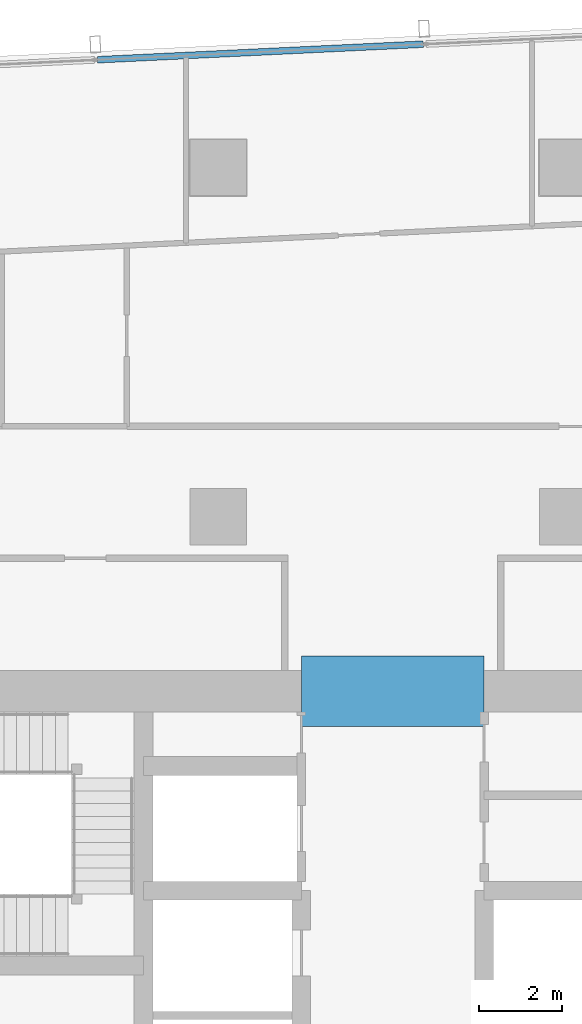
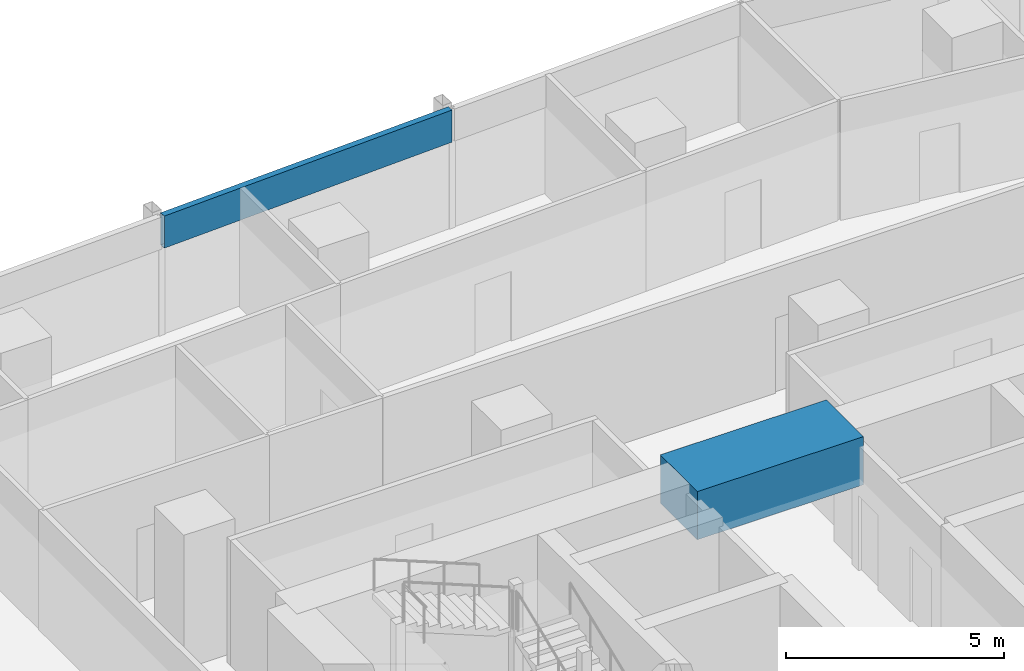
# One storey, part 20 of 39: 1 beam, 1 member, 1 element without a shape of its own.
"""IFC4 building model written with IfcOpenShell, lengths in metres."""

import ifcopenshell
import ifcopenshell.guid

model = None  # the IFC model being written
_history = None  # IfcOwnerHistory: only IFC2X3 demands one
_inside = {}  # id of a spatial element -> (the spatial element, [elements in it])
_under = {}  # id of a project, library or spatial element -> (it, [spatial elements below it])
_declared = {}  # id of a project -> (the project, [libraries it declares])
_typed = {}  # id of a type object -> (the type object, [elements of that type])
_made_of = {}  # id of a material, layer set ... -> (it, [elements and type objects made of it])


def new_model(schema):
    """Start an empty IFC model of exactly this schema.

    Asked for "IFC4X3", IfcOpenShell would pick the latest addendum, in which some entities
    have other attributes; the version numbers below select the first issue.
    IFC2X3 requires an IfcOwnerHistory on every rooted entity: one is made here for all.
    """
    global model, _history
    if schema == "IFC4X3":
        model = ifcopenshell.file(schema_version=(4, 3, 0, 0))
    else:
        model = ifcopenshell.file(schema=schema)
    _inside.clear()
    _under.clear()
    _declared.clear()
    _typed.clear()
    _made_of.clear()
    _history = None
    if model.schema == "IFC2X3":
        org = make("IfcOrganization", Name="unknown")
        user = make(
            "IfcPersonAndOrganization",
            ThePerson=make("IfcPerson", FamilyName="unknown"),
            TheOrganization=org,
        )
        app = make(
            "IfcApplication",
            ApplicationDeveloper=org,
            Version="unknown",
            ApplicationFullName="unknown",
            ApplicationIdentifier="unknown",
        )
        _history = make(
            "IfcOwnerHistory",
            OwningUser=user,
            OwningApplication=app,
            ChangeAction="ADDED",
            CreationDate=0,
        )
    return model


def make(cls, **values):
    """One entity of the class cls with the attributes given. An attribute that is None is left unset."""
    return model.create_entity(
        cls, **{name: value for name, value in values.items() if value is not None}
    )


def rooted(cls, **values):
    """An entity with a GlobalId (a new one), such as an element, a storey or a relation."""
    return make(cls, GlobalId=ifcopenshell.guid.new(), OwnerHistory=_history, **values)


def si_unit(unit_type, name, prefix=None):
    """IfcSIUnit, for example si_unit("LENGTHUNIT", "METRE", prefix="MILLI")."""
    return make("IfcSIUnit", UnitType=unit_type, Prefix=prefix, Name=name)


def assignment(units):
    """IfcUnitAssignment: the units of a project."""
    return None if units is None else make("IfcUnitAssignment", Units=units)


def point(xyz):
    """IfcCartesianPoint."""
    return None if xyz is None else make("IfcCartesianPoint", Coordinates=xyz)


def direction(xyz):
    """IfcDirection."""
    return None if xyz is None else make("IfcDirection", DirectionRatios=xyz)


def frame(location, z_axis=None, x_axis=None):
    """IfcAxis2Placement3D, a coordinate frame: its origin and axes. An axis left out is left unset."""
    return make(
        "IfcAxis2Placement3D",
        Location=point(location),
        Axis=direction(z_axis),
        RefDirection=direction(x_axis),
    )


def frame_2d(location, x_axis=None):
    """IfcAxis2Placement2D, a coordinate frame in the plane: its origin and x axis."""
    return make(
        "IfcAxis2Placement2D", Location=point(location), RefDirection=direction(x_axis)
    )


def origin():
    """The frame at (0, 0, 0) with its axes left unset."""
    return frame((0.0, 0.0, 0.0))


def origin_2d():
    """The frame at (0, 0) in the plane with its x axis left unset."""
    return frame_2d((0.0, 0.0))


def place(relative_to, where):
    """IfcLocalPlacement: puts the frame where relative to a parent placement (None: the world)."""
    return make(
        "IfcLocalPlacement", PlacementRelTo=relative_to, RelativePlacement=where
    )


def context(
    kind, dimensions, precision=None, world=None, true_north=None, identifier=None
):
    """IfcGeometricRepresentationContext, for example the 3D "Model" context."""
    return make(
        "IfcGeometricRepresentationContext",
        ContextIdentifier=identifier,
        ContextType=kind,
        CoordinateSpaceDimension=dimensions,
        Precision=precision,
        WorldCoordinateSystem=world,
        TrueNorth=true_north,
    )


def subcontext(parent, identifier, kind, view, scale=None):
    """IfcGeometricRepresentationSubContext, for example "Body" below "Model"."""
    return make(
        "IfcGeometricRepresentationSubContext",
        ContextIdentifier=identifier,
        ContextType=kind,
        ParentContext=parent,
        TargetScale=scale,
        TargetView=view,
    )


def project(units=None, contexts=None):
    """IfcProject with its units and contexts."""
    return rooted(
        "IfcProject",
        Name="project",
        RepresentationContexts=contexts,
        UnitsInContext=assignment(units),
    )


def spatial(cls, under=None, at=None, **own):
    """A site, building, storey or space (cls), placed at a placement, below another one or the project."""
    s = rooted(cls, ObjectPlacement=at, **own)
    if under is not None:
        _under.setdefault(under.id(), (under, []))[1].append(s)
    return s


def profile(cls, at=None, kind="AREA", **sizes):
    """A parametric profile (cls). Its sizes go by their IFC names, for example OverallWidth=200.0."""
    return make(cls, ProfileType=kind, Position=at, **sizes)


def rectangle(**sizes):
    """IfcRectangleProfileDef."""
    return profile("IfcRectangleProfileDef", **sizes)


def hollow_rectangle(**sizes):
    """IfcRectangleHollowProfileDef."""
    return profile("IfcRectangleHollowProfileDef", **sizes)


def extrude(swept, where, along, depth):
    """IfcExtrudedAreaSolid: the profile swept, set in the frame where, extruded along a direction by depth."""
    return make(
        "IfcExtrudedAreaSolid",
        SweptArea=swept,
        Position=where,
        ExtrudedDirection=direction(along),
        Depth=depth,
    )


def shape(context_of_items, identifier, shape_type, items):
    """IfcShapeRepresentation: the items that make up one representation, for example the "Body"."""
    return make(
        "IfcShapeRepresentation",
        ContextOfItems=context_of_items,
        RepresentationIdentifier=identifier,
        RepresentationType=shape_type,
        Items=items,
    )


def material(Name=None, Category=None):
    """IfcMaterial."""
    return make("IfcMaterial", Name=Name, Category=Category)


def material_profile(
    of_material, cross_section, Name=None, Category=None, Priority=None
):
    """IfcMaterialProfile: a cross section and its material."""
    return make(
        "IfcMaterialProfile",
        Name=Name,
        Material=of_material,
        Profile=cross_section,
        Priority=Priority,
        Category=Category,
    )


def profile_set(profiles, Name=None, composite=None):
    """IfcMaterialProfileSet."""
    return make(
        "IfcMaterialProfileSet",
        Name=Name,
        MaterialProfiles=profiles,
        CompositeProfile=composite,
    )


def made_of(thing, what):
    """Note that an element or type object is made of a material, layer set ...; save() writes the relation."""
    if what is not None:
        _made_of.setdefault(what.id(), (what, []))[1].append(thing)
    return thing


def type_object(cls, material=None, **own):
    """A type object (cls), such as IfcWallType, which elements share."""
    return made_of(rooted(cls, **own), material)


def element(
    cls,
    number,
    at=None,
    inside=None,
    cuts=None,
    type_object=None,
    material=None,
    context=None,
    identifier="Body",
    shape_type=None,
    held_by="IfcProductDefinitionShape",
    body=None,
    shapes=None,
    **own,
):
    """One element of the class cls, such as IfcWall. Its Tag is "e" and its number.

    at: its placement. inside: the storey or other place that contains it. cuts: it is an
    opening in that element (IfcRelVoidsElement). A single representation is given by context,
    identifier, shape_type and body (its items); several are given by shapes. held_by: the class
    of the entity that holds the representations. save() writes the other relations.
    """
    e = rooted(cls, Tag="e%d" % number, ObjectPlacement=at, **own)
    if body is not None:
        shapes = [shape(context, identifier, shape_type, body)]
    if shapes is not None:
        e.Representation = make(held_by, Representations=shapes)
    if inside is not None:
        _inside.setdefault(inside.id(), (inside, []))[1].append(e)
    if cuts is not None:
        rooted(
            "IfcRelVoidsElement", RelatingBuildingElement=cuts, RelatedOpeningElement=e
        )
    if type_object is not None:
        _typed.setdefault(type_object.id(), (type_object, []))[1].append(e)
    return made_of(e, material)


def aggregate(whole, parts):
    """IfcRelAggregates: a whole, such as a stair, and the parts it consists of."""
    return rooted("IfcRelAggregates", RelatingObject=whole, RelatedObjects=parts)


def save(model, path):
    """Write the relations noted so far, then the file.

    IfcRelAggregates (storeys below a building ...), IfcRelContainedInSpatialStructure (elements
    in a storey), IfcRelDefinesByType, IfcRelAssociatesMaterial and IfcRelDeclares: one each for
    every whole, place, type object, material and project.
    """
    for whole, parts in _under.values():
        aggregate(whole, parts)
    for where, things in _inside.values():
        rooted(
            "IfcRelContainedInSpatialStructure",
            RelatedElements=things,
            RelatingStructure=where,
        )
    for kind, things in _typed.values():
        rooted("IfcRelDefinesByType", RelatedObjects=things, RelatingType=kind)
    for what, things in _made_of.values():
        rooted("IfcRelAssociatesMaterial", RelatedObjects=things, RelatingMaterial=what)
    for by, libraries in _declared.values():
        rooted("IfcRelDeclares", RelatingContext=by, RelatedDefinitions=libraries)
    model.write(path)


model = new_model("IFC4")

# Units and contexts
model_context = context("Model", 3, precision=1e-05, world=origin(), true_north=direction((0.0, 1.0)))
body_context = subcontext(model_context, "Body", "Model", "MODEL_VIEW")
ifc_project = project(units=[si_unit("LENGTHUNIT", "METRE"), si_unit("AREAUNIT", "SQUARE_METRE"), si_unit("VOLUMEUNIT", "CUBIC_METRE"), si_unit("PLANEANGLEUNIT", "RADIAN"), si_unit("MASSUNIT", "GRAM", prefix="KILO")], contexts=[model_context])

# Site, building, storey
site_placement = place(None, origin())
site = spatial("IfcSite", under=ifc_project, at=site_placement, CompositionType="ELEMENT")
building_placement = place(site_placement, origin())
building = spatial("IfcBuilding", under=site, at=building_placement, Name="Rekha Terrace Tower", CompositionType="ELEMENT")
storey_placement = place(building_placement, frame((0.0, 0.0, 187.699951171875)))
storey = spatial("IfcBuildingStorey", under=building, at=storey_placement, Name="L47", CompositionType="ELEMENT", Elevation=187.699951171875)

# Curtain wall, member
ifc_material_1 = material(Name="Aluminium framing", Category="aluminium")
curtain_wall_type = type_object("IfcCurtainWallType", Name="CW3 north unitised glazing", PredefinedType="USERDEFINED", material=ifc_material_1)
curtain_wall_placement = place(storey_placement, origin())
curtain_wall = element("IfcCurtainWall", 1, at=curtain_wall_placement, inside=storey, type_object=curtain_wall_type, Name="CW3 unitised curtain wall", ObjectType="UNITISED CURTAIN WALL", PredefinedType="USERDEFINED")
ifc_material_2 = material(Name="Insulated aluminium spandrel box", Category="aluminium")
ifc_material_profile_1 = material_profile(ifc_material_2, hollow_rectangle(XDim=0.159912109375, YDim=0.89990234375, WallThickness=0.0029296875, at=origin_2d()), Name="AL SPANDREL BOX 160x900")
ifc_profile_set_1 = profile_set([ifc_material_profile_1], Name="Insulated aluminium spandrel box")
member_type = type_object("IfcMemberType", Name="CW3 spandrel transom 160 x 900", PredefinedType="USERDEFINED", material=ifc_profile_set_1)
member_placement = place(storey_placement, frame((38.53515625, 61.76953125, 3.050048828125), z_axis=(-0.998859252362, -0.047751376635, 0.0), x_axis=(0.047751376635, -0.998859252362, 0.0)))
member = element("IfcMember", 2, at=member_placement, type_object=member_type, Name="CW3 spandrel transom 2", ObjectType="TRANSOM", PredefinedType="USERDEFINED", context=body_context, shape_type="SweptSolid", body=[
    extrude(hollow_rectangle(XDim=0.159912109375, YDim=0.89990234375, WallThickness=0.0029296875, at=origin_2d()), origin(), (0.0, 0.0, 1.0), 7.84814453125),
])
aggregate(curtain_wall, [member])

# Beam
ifc_material_3 = material(Name="Concrete M60", Category="concrete")
ifc_material_profile_2 = material_profile(ifc_material_3, rectangle(XDim=1.699951171875, YDim=1.35009765625, at=origin_2d()), Name="RC 1700x1350")
ifc_profile_set_2 = profile_set([ifc_material_profile_2], Name="Concrete M60")
beam_type = type_object("IfcBeamType", Name="LB3A 1700x1350 diagonally reinforced coupling beam", PredefinedType="LINTEL", material=ifc_profile_set_2)
beam_placement = place(storey_placement, frame((35.60009765625, 46.199951171875, 3.074951171875), z_axis=(1.0, 0.0, 0.0), x_axis=(0.0, 1.0, 0.0)))
element("IfcBeam", 3, at=beam_placement, inside=storey, type_object=beam_type, Name="Coupling beam LB3A N L47", PredefinedType="LINTEL", context=body_context, shape_type="SweptSolid", body=[
    extrude(rectangle(XDim=1.699951171875, YDim=1.35009765625, at=origin_2d()), origin(), (0.0, 0.0, 1.0), 4.39990234375),
])

save(model, "model.ifc")
